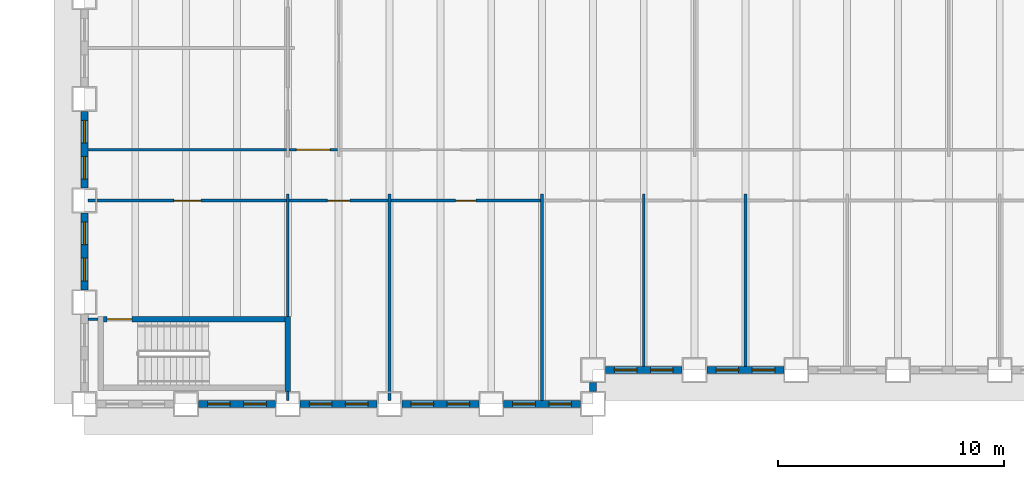
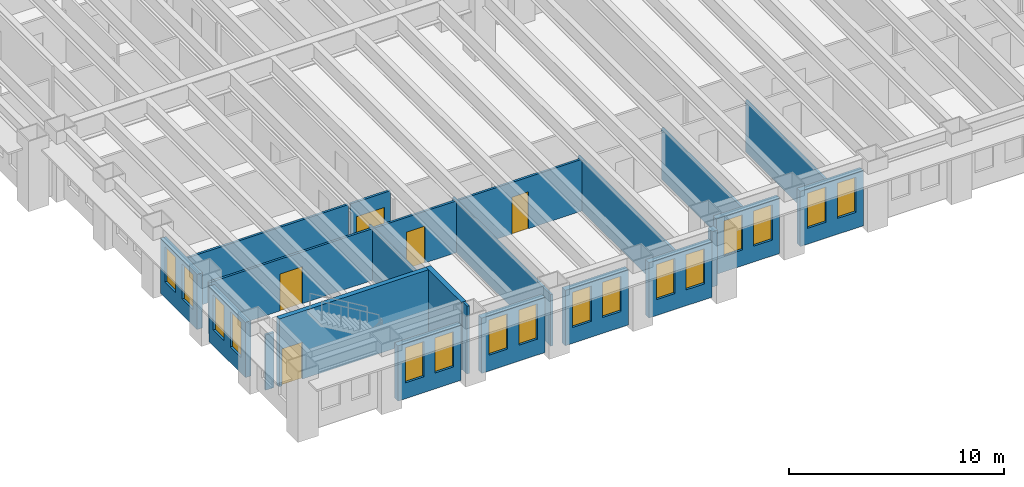
# One storey, part 3 of 15: 23 walls, 16 windows, 5 doors, 21 openings.
"""IFC4 building model written with IfcOpenShell, lengths in metres."""

import ifcopenshell
import ifcopenshell.guid

model = None  # the IFC model being written
_history = None  # IfcOwnerHistory: only IFC2X3 demands one
_inside = {}  # id of a spatial element -> (the spatial element, [elements in it])
_under = {}  # id of a project, library or spatial element -> (it, [spatial elements below it])
_declared = {}  # id of a project -> (the project, [libraries it declares])
_typed = {}  # id of a type object -> (the type object, [elements of that type])
_made_of = {}  # id of a material, layer set ... -> (it, [elements and type objects made of it])


def new_model(schema):
    """Start an empty IFC model of exactly this schema.

    Asked for "IFC4X3", IfcOpenShell would pick the latest addendum, in which some entities
    have other attributes; the version numbers below select the first issue.
    IFC2X3 requires an IfcOwnerHistory on every rooted entity: one is made here for all.
    """
    global model, _history
    if schema == "IFC4X3":
        model = ifcopenshell.file(schema_version=(4, 3, 0, 0))
    else:
        model = ifcopenshell.file(schema=schema)
    _inside.clear()
    _under.clear()
    _declared.clear()
    _typed.clear()
    _made_of.clear()
    _history = None
    if model.schema == "IFC2X3":
        org = make("IfcOrganization", Name="unknown")
        user = make(
            "IfcPersonAndOrganization",
            ThePerson=make("IfcPerson", FamilyName="unknown"),
            TheOrganization=org,
        )
        app = make(
            "IfcApplication",
            ApplicationDeveloper=org,
            Version="unknown",
            ApplicationFullName="unknown",
            ApplicationIdentifier="unknown",
        )
        _history = make(
            "IfcOwnerHistory",
            OwningUser=user,
            OwningApplication=app,
            ChangeAction="ADDED",
            CreationDate=0,
        )
    return model


def make(cls, **values):
    """One entity of the class cls with the attributes given. An attribute that is None is left unset."""
    return model.create_entity(
        cls, **{name: value for name, value in values.items() if value is not None}
    )


def rooted(cls, **values):
    """An entity with a GlobalId (a new one), such as an element, a storey or a relation."""
    return make(cls, GlobalId=ifcopenshell.guid.new(), OwnerHistory=_history, **values)


def si_unit(unit_type, name, prefix=None):
    """IfcSIUnit, for example si_unit("LENGTHUNIT", "METRE", prefix="MILLI")."""
    return make("IfcSIUnit", UnitType=unit_type, Prefix=prefix, Name=name)


def assignment(units):
    """IfcUnitAssignment: the units of a project."""
    return None if units is None else make("IfcUnitAssignment", Units=units)


def point(xyz):
    """IfcCartesianPoint."""
    return None if xyz is None else make("IfcCartesianPoint", Coordinates=xyz)


def direction(xyz):
    """IfcDirection."""
    return None if xyz is None else make("IfcDirection", DirectionRatios=xyz)


def frame(location, z_axis=None, x_axis=None):
    """IfcAxis2Placement3D, a coordinate frame: its origin and axes. An axis left out is left unset."""
    return make(
        "IfcAxis2Placement3D",
        Location=point(location),
        Axis=direction(z_axis),
        RefDirection=direction(x_axis),
    )


def frame_2d(location, x_axis=None):
    """IfcAxis2Placement2D, a coordinate frame in the plane: its origin and x axis."""
    return make(
        "IfcAxis2Placement2D", Location=point(location), RefDirection=direction(x_axis)
    )


def origin():
    """The frame at (0, 0, 0) with its axes left unset."""
    return frame((0.0, 0.0, 0.0))


def place(relative_to, where):
    """IfcLocalPlacement: puts the frame where relative to a parent placement (None: the world)."""
    return make(
        "IfcLocalPlacement", PlacementRelTo=relative_to, RelativePlacement=where
    )


def context(
    kind, dimensions, precision=None, world=None, true_north=None, identifier=None
):
    """IfcGeometricRepresentationContext, for example the 3D "Model" context."""
    return make(
        "IfcGeometricRepresentationContext",
        ContextIdentifier=identifier,
        ContextType=kind,
        CoordinateSpaceDimension=dimensions,
        Precision=precision,
        WorldCoordinateSystem=world,
        TrueNorth=true_north,
    )


def subcontext(parent, identifier, kind, view, scale=None):
    """IfcGeometricRepresentationSubContext, for example "Body" below "Model"."""
    return make(
        "IfcGeometricRepresentationSubContext",
        ContextIdentifier=identifier,
        ContextType=kind,
        ParentContext=parent,
        TargetScale=scale,
        TargetView=view,
    )


def project(units=None, contexts=None):
    """IfcProject with its units and contexts."""
    return rooted(
        "IfcProject",
        Name="project",
        RepresentationContexts=contexts,
        UnitsInContext=assignment(units),
    )


def spatial(cls, under=None, at=None, **own):
    """A site, building, storey or space (cls), placed at a placement, below another one or the project."""
    s = rooted(cls, ObjectPlacement=at, **own)
    if under is not None:
        _under.setdefault(under.id(), (under, []))[1].append(s)
    return s


def profile(cls, at=None, kind="AREA", **sizes):
    """A parametric profile (cls). Its sizes go by their IFC names, for example OverallWidth=200.0."""
    return make(cls, ProfileType=kind, Position=at, **sizes)


def rectangle(**sizes):
    """IfcRectangleProfileDef."""
    return profile("IfcRectangleProfileDef", **sizes)


def extrude(swept, where, along, depth):
    """IfcExtrudedAreaSolid: the profile swept, set in the frame where, extruded along a direction by depth."""
    return make(
        "IfcExtrudedAreaSolid",
        SweptArea=swept,
        Position=where,
        ExtrudedDirection=direction(along),
        Depth=depth,
    )


def shape(context_of_items, identifier, shape_type, items):
    """IfcShapeRepresentation: the items that make up one representation, for example the "Body"."""
    return make(
        "IfcShapeRepresentation",
        ContextOfItems=context_of_items,
        RepresentationIdentifier=identifier,
        RepresentationType=shape_type,
        Items=items,
    )


def material(Name=None, Category=None):
    """IfcMaterial."""
    return make("IfcMaterial", Name=Name, Category=Category)


def layer(
    of_material, thickness, ventilated=None, Name=None, Category=None, Priority=None
):
    """IfcMaterialLayer: one layer of a wall or slab, of a material (None: an air gap)."""
    return make(
        "IfcMaterialLayer",
        Material=of_material,
        LayerThickness=thickness,
        IsVentilated=ventilated,
        Name=Name,
        Category=Category,
        Priority=Priority,
    )


def layer_set(layers, Name=None):
    """IfcMaterialLayerSet."""
    return make("IfcMaterialLayerSet", MaterialLayers=layers, LayerSetName=Name)


def made_of(thing, what):
    """Note that an element or type object is made of a material, layer set ...; save() writes the relation."""
    if what is not None:
        _made_of.setdefault(what.id(), (what, []))[1].append(thing)
    return thing


def type_object(cls, material=None, **own):
    """A type object (cls), such as IfcWallType, which elements share."""
    return made_of(rooted(cls, **own), material)


def element(
    cls,
    number,
    at=None,
    inside=None,
    cuts=None,
    type_object=None,
    material=None,
    context=None,
    identifier="Body",
    shape_type=None,
    held_by="IfcProductDefinitionShape",
    body=None,
    shapes=None,
    **own,
):
    """One element of the class cls, such as IfcWall. Its Tag is "e" and its number.

    at: its placement. inside: the storey or other place that contains it. cuts: it is an
    opening in that element (IfcRelVoidsElement). A single representation is given by context,
    identifier, shape_type and body (its items); several are given by shapes. held_by: the class
    of the entity that holds the representations. save() writes the other relations.
    """
    e = rooted(cls, Tag="e%d" % number, ObjectPlacement=at, **own)
    if body is not None:
        shapes = [shape(context, identifier, shape_type, body)]
    if shapes is not None:
        e.Representation = make(held_by, Representations=shapes)
    if inside is not None:
        _inside.setdefault(inside.id(), (inside, []))[1].append(e)
    if cuts is not None:
        rooted(
            "IfcRelVoidsElement", RelatingBuildingElement=cuts, RelatedOpeningElement=e
        )
    if type_object is not None:
        _typed.setdefault(type_object.id(), (type_object, []))[1].append(e)
    return made_of(e, material)


def fill(opening, filler):
    """IfcRelFillsElement: the door or window that sits in an opening."""
    return rooted(
        "IfcRelFillsElement",
        RelatingOpeningElement=opening,
        RelatedBuildingElement=filler,
    )


def aggregate(whole, parts):
    """IfcRelAggregates: a whole, such as a stair, and the parts it consists of."""
    return rooted("IfcRelAggregates", RelatingObject=whole, RelatedObjects=parts)


def save(model, path):
    """Write the relations noted so far, then the file.

    IfcRelAggregates (storeys below a building ...), IfcRelContainedInSpatialStructure (elements
    in a storey), IfcRelDefinesByType, IfcRelAssociatesMaterial and IfcRelDeclares: one each for
    every whole, place, type object, material and project.
    """
    for whole, parts in _under.values():
        aggregate(whole, parts)
    for where, things in _inside.values():
        rooted(
            "IfcRelContainedInSpatialStructure",
            RelatedElements=things,
            RelatingStructure=where,
        )
    for kind, things in _typed.values():
        rooted("IfcRelDefinesByType", RelatedObjects=things, RelatingType=kind)
    for what, things in _made_of.values():
        rooted("IfcRelAssociatesMaterial", RelatedObjects=things, RelatingMaterial=what)
    for by, libraries in _declared.values():
        rooted("IfcRelDeclares", RelatingContext=by, RelatedDefinitions=libraries)
    model.write(path)


model = new_model("IFC4")

# Units and contexts
model_context = context("Model", 3, precision=1e-05, world=origin(), true_north=direction((0.0, 1.0)))
body_context = subcontext(model_context, "Body", "Model", "MODEL_VIEW")
ifc_project = project(units=[si_unit("LENGTHUNIT", "METRE"), si_unit("AREAUNIT", "SQUARE_METRE"), si_unit("VOLUMEUNIT", "CUBIC_METRE"), si_unit("PLANEANGLEUNIT", "RADIAN"), si_unit("MASSUNIT", "GRAM", prefix="KILO")], contexts=[model_context])

# Site, building, storey
site_placement = place(None, origin())
site = spatial("IfcSite", under=ifc_project, at=site_placement, CompositionType="ELEMENT")
building_placement = place(site_placement, origin())
building = spatial("IfcBuilding", under=site, at=building_placement, Name="Sennacour Bend Tower", CompositionType="ELEMENT")
storey_placement = place(building_placement, frame((0.0, 0.0, 33.0)))
storey = spatial("IfcBuildingStorey", under=building, at=storey_placement, Name="L06", CompositionType="ELEMENT", Elevation=33.0)

# Walls
ifc_material_1 = material(Name="Plasterboard partition on steel studs", Category="steel")
ifc_layer_1 = layer(ifc_material_1, 0.1201171875, Name="Plasterboard partition on steel studs", Category="steel")
ifc_layer_set_1 = layer_set([ifc_layer_1], Name="Plasterboard partition on steel studs")
wall_type_1 = type_object("IfcWallType", Name="Partition 120", PredefinedType="PARTITIONING", material=ifc_layer_set_1)
wall_1_placement = place(storey_placement, frame((9.0, 0.14990234375, 0.0), z_axis=(0.0, 0.0, 1.0), x_axis=(0.0, 1.0, 0.0)))
element("IfcWall", 1, at=wall_1_placement, inside=storey, type_object=wall_type_1, Name="P-L06-W010a", PredefinedType="PARTITIONING", context=body_context, shape_type="SweptSolid", body=[
    extrude(rectangle(XDim=0.400146484375, YDim=0.1201171875, at=frame_2d((0.2001953125, 0.0))), origin(), (0.0, 0.0, 1.0), 3.85009765625),
])
wall_2_placement = place(storey_placement, frame((9.0, 3.875, 0.0), z_axis=(0.0, 0.0, 1.0), x_axis=(0.0, 1.0, 0.0)))
element("IfcWall", 2, at=wall_2_placement, inside=storey, type_object=wall_type_1, Name="P-L06-W012a", PredefinedType="PARTITIONING", context=body_context, shape_type="SweptSolid", body=[
    extrude(rectangle(XDim=5.425048828125, YDim=0.1201171875, at=frame_2d((2.71240234375, 0.0))), origin(), (0.0, 0.0, 1.0), 2.93798828125),
])
for number, where, z_axis, x_axis, name in (
    (3, (13.5, 0.14990234375, 0.0), (0.0, 0.0, 1.0), (0.0, 1.0, 0.0), "P-L06-W017a"),
    (4, (20.25, 0.14990234375, 0.0), (0.0, 0.0, 1.0), (0.0, 1.0, 0.0), "P-L06-W024a"),
):
    element("IfcWall", number, at=place(storey_placement, frame(where, z_axis=z_axis, x_axis=x_axis)), inside=storey, type_object=wall_type_1, Name=name, PredefinedType="PARTITIONING", context=body_context, shape_type="SweptSolid", body=[
        extrude(rectangle(XDim=9.150146484375, YDim=0.1201171875, at=frame_2d((4.5751953125, 0.0))), origin(), (0.0, 0.0, 1.0), 2.93798828125),
    ])
for number, where, z_axis, x_axis, name in (
    (5, (24.75, 1.64990234375, 0.0), (0.0, 0.0, 1.0), (0.0, 1.0, 0.0), "P-L06-W026a"),
    (6, (29.25, 1.64990234375, 0.0), (0.0, 0.0, 1.0), (0.0, 1.0, 0.0), "P-L06-W028a"),
):
    element("IfcWall", number, at=place(storey_placement, frame(where, z_axis=z_axis, x_axis=x_axis)), inside=storey, type_object=wall_type_1, Name=name, PredefinedType="PARTITIONING", context=body_context, shape_type="SweptSolid", body=[
        extrude(rectangle(XDim=7.650146484375, YDim=0.1201171875, at=frame_2d((3.8251953125, 0.0))), origin(), (0.0, 0.0, 1.0), 2.93798828125),
    ])
wall_3_placement = place(storey_placement, frame((0.14990234375, 3.75, 0.0), z_axis=(0.0, 0.0, 1.0), x_axis=(1.0, 0.0, 0.0)))
element("IfcWall", 7, at=wall_3_placement, inside=storey, type_object=wall_type_1, Name="P-L06-W050a", PredefinedType="PARTITIONING", context=body_context, shape_type="SweptSolid", body=[
    extrude(rectangle(XDim=0.4501953125, YDim=0.1201171875, at=frame_2d((0.22509765625, 0.0))), origin(), (0.0, 0.0, 1.0), 3.14404296875),
])

# Wall, opening, door
wall_4_placement = place(storey_placement, frame((9.06005859375, 9.0, 0.0), z_axis=(0.0, 0.0, 1.0), x_axis=(1.0, 0.0, 0.0)))
wall_4 = element("IfcWall", 8, at=wall_4_placement, inside=storey, type_object=wall_type_1, Name="P-L06-W058ab", PredefinedType="PARTITIONING", context=body_context, shape_type="SweptSolid", body=[
    extrude(rectangle(XDim=4.3798828125, YDim=0.1201171875, at=frame_2d((2.18994140625, 0.0))), origin(), (0.0, 0.0, 1.0), 2.93798828125),
])
opening_1_placement = place(wall_4_placement, frame((1.68994140625, 0.0, 0.0)))
opening_1 = element("IfcOpeningElement", 9, at=opening_1_placement, cuts=wall_4, Name="Opening OD2", PredefinedType="OPENING", context=body_context, shape_type="SweptSolid", body=[
    extrude(rectangle(XDim=1.0, YDim=2.10009765625, at=frame_2d((0.5, 1.050048828125))), frame((0.0, 0.070068359375, 0.0), z_axis=(0.0, -1.0, 0.0), x_axis=(1.0, 0.0, 0.0)), (0.0, 0.0, 1.0), 0.14013671875),
])
ifc_material_2 = material(Name="Timber", Category="wood")
door_type_1 = type_object("IfcDoorType", Name="DR-OFFICE-1000", OperationType="NOTDEFINED", PredefinedType="DOOR", material=ifc_material_2)
door_1_placement = place(opening_1_placement, origin())
door_1 = element("IfcDoor", 10, at=door_1_placement, inside=storey, type_object=door_type_1, Name="Door", OperationType="SINGLE_SWING_LEFT", OverallHeight=2.10009765625, OverallWidth=1.0, PredefinedType="DOOR", context=body_context, shape_type="SweptSolid", body=[
    extrude(rectangle(XDim=1.0, YDim=2.10009765625, at=frame_2d((0.5, 1.050048828125))), frame((0.0, 0.02490234375, 0.0), z_axis=(0.0, -1.0, 0.0), x_axis=(1.0, 0.0, 0.0)), (0.0, 0.0, 1.0), 0.050048828125),
])
fill(opening_1, door_1)

# Wall
wall_5_placement = place(storey_placement, frame((0.14990234375, 11.25, 0.0), z_axis=(0.0, 0.0, 1.0), x_axis=(1.0, 0.0, 0.0)))
element("IfcWall", 11, at=wall_5_placement, inside=storey, type_object=wall_type_1, Name="P-L06-W060aa", PredefinedType="PARTITIONING", context=body_context, shape_type="SweptSolid", body=[
    extrude(rectangle(XDim=8.7900390625, YDim=0.1201171875, at=frame_2d((4.39501953125, 0.0))), origin(), (0.0, 0.0, 1.0), 2.93798828125),
])

# Wall, opening, door
ifc_layer_2 = layer(ifc_material_1, 0.1201171875, Name="Plasterboard partition on steel studs", Category="steel")
ifc_layer_set_2 = layer_set([ifc_layer_2], Name="Plasterboard partition on steel studs")
wall_type_2 = type_object("IfcWallType", Name="Partition 120 EI 30", PredefinedType="PARTITIONING", material=ifc_layer_set_2)
wall_6_placement = place(storey_placement, frame((0.14990234375, 9.0, 0.0), z_axis=(0.0, 0.0, 1.0), x_axis=(1.0, 0.0, 0.0)))
wall_6 = element("IfcWall", 12, at=wall_6_placement, inside=storey, type_object=wall_type_2, Name="P-L06-W058aa", PredefinedType="PARTITIONING", context=body_context, shape_type="SweptSolid", body=[
    extrude(rectangle(XDim=8.7900390625, YDim=0.1201171875, at=frame_2d((4.39501953125, 0.0))), origin(), (0.0, 0.0, 1.0), 2.93798828125),
])
opening_2_placement = place(wall_6_placement, frame((3.80517578125, 0.0, 0.0)))
opening_2 = element("IfcOpeningElement", 13, at=opening_2_placement, cuts=wall_6, Name="Opening KD2", PredefinedType="OPENING", context=body_context, shape_type="SweptSolid", body=[
    extrude(rectangle(XDim=1.199951171875, YDim=2.10009765625, at=frame_2d((0.60009765625, 1.050048828125))), frame((0.0, 0.070068359375, 0.0), z_axis=(0.0, -1.0, 0.0), x_axis=(1.0, 0.0, 0.0)), (0.0, 0.0, 1.0), 0.14013671875),
])
ifc_material_3 = material(Name="Painted steel", Category="steel")
door_type_2 = type_object("IfcDoorType", Name="DR-CORRIDOR-1200", OperationType="NOTDEFINED", PredefinedType="DOOR", material=ifc_material_3)
door_2_placement = place(opening_2_placement, origin())
door_2 = element("IfcDoor", 14, at=door_2_placement, inside=storey, type_object=door_type_2, Name="Door", OperationType="SINGLE_SWING_LEFT", OverallHeight=2.10009765625, OverallWidth=1.199951171875, PredefinedType="DOOR", context=body_context, shape_type="SweptSolid", body=[
    extrude(rectangle(XDim=1.199951171875, YDim=2.10009765625, at=frame_2d((0.60009765625, 1.050048828125))), frame((0.0, 0.02490234375, 0.0), z_axis=(0.0, -1.0, 0.0), x_axis=(1.0, 0.0, 0.0)), (0.0, 0.0, 1.0), 0.050048828125),
])
fill(opening_2, door_2)

wall_7_placement = place(storey_placement, frame((9.06005859375, 11.25, 0.0), z_axis=(0.0, 0.0, 1.0), x_axis=(1.0, 0.0, 0.0)))
wall_7 = element("IfcWall", 15, at=wall_7_placement, inside=storey, type_object=wall_type_2, Name="P-L06-W060ab", PredefinedType="PARTITIONING", context=body_context, shape_type="SweptSolid", body=[
    extrude(rectangle(XDim=2.1298828125, YDim=0.1201171875, at=frame_2d((1.06494140625, 0.0))), origin(), (0.0, 0.0, 1.0), 2.93798828125),
])
opening_3_placement = place(wall_7_placement, frame((0.31494140625, 0.0, 0.0)))
opening_3 = element("IfcOpeningElement", 16, at=opening_3_placement, cuts=wall_7, Name="Opening KD", PredefinedType="OPENING", context=body_context, shape_type="SweptSolid", body=[
    extrude(rectangle(XDim=1.5, YDim=2.10009765625, at=frame_2d((0.75, 1.050048828125))), frame((0.0, 0.070068359375, 0.0), z_axis=(0.0, -1.0, 0.0), x_axis=(1.0, 0.0, 0.0)), (0.0, 0.0, 1.0), 0.14013671875),
])
door_type_3 = type_object("IfcDoorType", Name="DR-CORRIDOR-1500", OperationType="NOTDEFINED", PredefinedType="DOOR", material=ifc_material_3)
door_3_placement = place(opening_3_placement, origin())
door_3 = element("IfcDoor", 17, at=door_3_placement, inside=storey, type_object=door_type_3, Name="Door", OperationType="SINGLE_SWING_LEFT", OverallHeight=2.10009765625, OverallWidth=1.5, PredefinedType="DOOR", context=body_context, shape_type="SweptSolid", body=[
    extrude(rectangle(XDim=1.5, YDim=2.10009765625, at=frame_2d((0.75, 1.050048828125))), frame((0.0, 0.02490234375, 0.0), z_axis=(0.0, -1.0, 0.0), x_axis=(1.0, 0.0, 0.0)), (0.0, 0.0, 1.0), 0.050048828125),
])
fill(opening_3, door_3)

ifc_layer_3 = layer(ifc_material_1, 0.1201171875, Name="Plasterboard partition on steel studs", Category="steel")
ifc_layer_set_3 = layer_set([ifc_layer_3], Name="Plasterboard partition on steel studs")
wall_type_3 = type_object("IfcWallType", Name="Partition 120 EI 60", PredefinedType="PARTITIONING", material=ifc_layer_set_3)
wall_8_placement = place(storey_placement, frame((13.56005859375, 9.0, 0.0), z_axis=(0.0, 0.0, 1.0), x_axis=(1.0, 0.0, 0.0)))
wall_8 = element("IfcWall", 18, at=wall_8_placement, inside=storey, type_object=wall_type_3, Name="P-L06-W058ac", PredefinedType="PARTITIONING", context=body_context, shape_type="SweptSolid", body=[
    extrude(rectangle(XDim=6.6298828125, YDim=0.1201171875, at=frame_2d((3.31494140625, 0.0))), origin(), (0.0, 0.0, 1.0), 2.93798828125),
])
opening_4_placement = place(wall_8_placement, frame((2.864990234375, 0.0, 0.0)))
opening_4 = element("IfcOpeningElement", 19, at=opening_4_placement, cuts=wall_8, Name="Opening SV", PredefinedType="OPENING", context=body_context, shape_type="SweptSolid", body=[
    extrude(rectangle(XDim=0.89990234375, YDim=2.10009765625, at=frame_2d((0.449951171875, 1.050048828125))), frame((0.0, 0.070068359375, 0.0), z_axis=(0.0, -1.0, 0.0), x_axis=(1.0, 0.0, 0.0)), (0.0, 0.0, 1.0), 0.14013671875),
])
door_type_4 = type_object("IfcDoorType", Name="DR-SERVICE-900", OperationType="NOTDEFINED", PredefinedType="DOOR", material=ifc_material_3)
door_4_placement = place(opening_4_placement, origin())
door_4 = element("IfcDoor", 20, at=door_4_placement, inside=storey, type_object=door_type_4, Name="Door", OperationType="SINGLE_SWING_LEFT", OverallHeight=2.10009765625, OverallWidth=0.89990234375, PredefinedType="DOOR", context=body_context, shape_type="SweptSolid", body=[
    extrude(rectangle(XDim=0.89990234375, YDim=2.10009765625, at=frame_2d((0.449951171875, 1.050048828125))), frame((0.0, 0.02490234375, 0.0), z_axis=(0.0, -1.0, 0.0), x_axis=(1.0, 0.0, 0.0)), (0.0, 0.0, 1.0), 0.050048828125),
])
fill(opening_4, door_4)

# Wall, openings, windows
ifc_material_4 = material(Name="Warm limestone cladding", Category="masonry")
ifc_layer_4 = layer(ifc_material_4, 0.050048828125, Name="Warm limestone cladding", Category="masonry")
ifc_material_5 = material(Name="Precast concrete C40/50", Category="concrete")
ifc_layer_5 = layer(ifc_material_5, 0.25, Name="Precast concrete C40/50", Category="concrete")
ifc_layer_set_4 = layer_set([ifc_layer_4, ifc_layer_5], Name="Precast concrete C40/50 with limestone cladding")
wall_type_4 = type_object("IfcWallType", Name="STONE-CLAD PRECAST SPANDREL 300", PredefinedType="STANDARD", material=ifc_layer_set_4)
wall_9_placement = place(storey_placement, frame((5.050048828125, 0.0, 0.0), z_axis=(0.0, 0.0, 1.0), x_axis=(1.0, 0.0, 0.0)))
wall_9 = element("IfcWall", 21, at=wall_9_placement, inside=storey, type_object=wall_type_4, Name="Stone spandrel and pier wall L06 00.01", PredefinedType="STANDARD", context=body_context, shape_type="SweptSolid", body=[
    extrude(rectangle(XDim=3.39990234375, YDim=0.300048828125, at=frame_2d((1.699951171875, 0.0))), origin(), (0.0, 0.0, 1.0), 3.14404296875),
])
opening_5_placement = place(wall_9_placement, frame((0.39990234375, 0.0, 0.89990234375)))
opening_5 = element("IfcOpeningElement", 22, at=opening_5_placement, cuts=wall_9, Name="Opening W8", PredefinedType="OPENING", context=body_context, shape_type="SweptSolid", body=[
    extrude(rectangle(XDim=1.0, YDim=2.0, at=frame_2d((0.5, 1.0))), frame((0.0, 0.16015625, 0.0), z_axis=(0.0, -1.0, 0.0), x_axis=(1.0, 0.0, 0.0)), (0.0, 0.0, 1.0), 0.320068359375),
])
opening_6_placement = place(wall_9_placement, frame((2.0, 0.0, 0.89990234375)))
opening_6 = element("IfcOpeningElement", 23, at=opening_6_placement, cuts=wall_9, Name="Opening W8", PredefinedType="OPENING", context=body_context, shape_type="SweptSolid", body=[
    extrude(rectangle(XDim=1.0, YDim=2.0, at=frame_2d((0.5, 1.0))), frame((0.0, 0.16015625, 0.0), z_axis=(0.0, -1.0, 0.0), x_axis=(1.0, 0.0, 0.0)), (0.0, 0.0, 1.0), 0.320068359375),
])
ifc_material_6 = material(Name="Clear low-emissivity glass", Category="glass")
window_type = type_object("IfcWindowType", Name="WIN-RIBBON-1000x2000", PartitioningType="SINGLE_PANEL", PredefinedType="WINDOW", material=ifc_material_6)
window_1_placement = place(opening_5_placement, origin())
window_1 = element("IfcWindow", 24, at=window_1_placement, inside=storey, type_object=window_type, Name="Ribbon window L06 00.01.0", OverallHeight=2.0, OverallWidth=1.0, PartitioningType="SINGLE_PANEL", PredefinedType="WINDOW", context=body_context, shape_type="SweptSolid", body=[
    extrude(rectangle(XDim=1.0, YDim=2.0, at=frame_2d((0.5, 1.0))), frame((0.0, 0.030029296875, 0.0), z_axis=(0.0, -1.0, 0.0), x_axis=(1.0, 0.0, 0.0)), (0.0, 0.0, 1.0), 0.06005859375),
])
fill(opening_5, window_1)
window_2_placement = place(opening_6_placement, origin())
window_2 = element("IfcWindow", 25, at=window_2_placement, inside=storey, type_object=window_type, Name="Ribbon window L06 00.01.1", OverallHeight=2.0, OverallWidth=1.0, PartitioningType="SINGLE_PANEL", PredefinedType="WINDOW", context=body_context, shape_type="SweptSolid", body=[
    extrude(rectangle(XDim=1.0, YDim=2.0, at=frame_2d((0.5, 1.0))), frame((0.0, 0.030029296875, 0.0), z_axis=(0.0, -1.0, 0.0), x_axis=(1.0, 0.0, 0.0)), (0.0, 0.0, 1.0), 0.06005859375),
])
fill(opening_6, window_2)

wall_10_placement = place(storey_placement, frame((9.550048828125, 0.0, 0.0), z_axis=(0.0, 0.0, 1.0), x_axis=(1.0, 0.0, 0.0)))
wall_10 = element("IfcWall", 26, at=wall_10_placement, inside=storey, type_object=wall_type_4, Name="Stone spandrel and pier wall L06 00.02", PredefinedType="STANDARD", context=body_context, shape_type="SweptSolid", body=[
    extrude(rectangle(XDim=3.39990234375, YDim=0.300048828125, at=frame_2d((1.699951171875, 0.0))), origin(), (0.0, 0.0, 1.0), 3.14404296875),
])
opening_7_placement = place(wall_10_placement, frame((0.39990234375, 0.0, 0.89990234375)))
opening_7 = element("IfcOpeningElement", 27, at=opening_7_placement, cuts=wall_10, Name="Opening W8", PredefinedType="OPENING", context=body_context, shape_type="SweptSolid", body=[
    extrude(rectangle(XDim=1.0, YDim=2.0, at=frame_2d((0.5, 1.0))), frame((0.0, 0.16015625, 0.0), z_axis=(0.0, -1.0, 0.0), x_axis=(1.0, 0.0, 0.0)), (0.0, 0.0, 1.0), 0.320068359375),
])
opening_8_placement = place(wall_10_placement, frame((2.0, 0.0, 0.89990234375)))
opening_8 = element("IfcOpeningElement", 28, at=opening_8_placement, cuts=wall_10, Name="Opening W8", PredefinedType="OPENING", context=body_context, shape_type="SweptSolid", body=[
    extrude(rectangle(XDim=1.0, YDim=2.0, at=frame_2d((0.5, 1.0))), frame((0.0, 0.16015625, 0.0), z_axis=(0.0, -1.0, 0.0), x_axis=(1.0, 0.0, 0.0)), (0.0, 0.0, 1.0), 0.320068359375),
])
window_3_placement = place(opening_7_placement, origin())
window_3 = element("IfcWindow", 29, at=window_3_placement, inside=storey, type_object=window_type, Name="Ribbon window L06 00.02.0", OverallHeight=2.0, OverallWidth=1.0, PartitioningType="SINGLE_PANEL", PredefinedType="WINDOW", context=body_context, shape_type="SweptSolid", body=[
    extrude(rectangle(XDim=1.0, YDim=2.0, at=frame_2d((0.5, 1.0))), frame((0.0, 0.030029296875, 0.0), z_axis=(0.0, -1.0, 0.0), x_axis=(1.0, 0.0, 0.0)), (0.0, 0.0, 1.0), 0.06005859375),
])
fill(opening_7, window_3)
window_4_placement = place(opening_8_placement, origin())
window_4 = element("IfcWindow", 30, at=window_4_placement, inside=storey, type_object=window_type, Name="Ribbon window L06 00.02.1", OverallHeight=2.0, OverallWidth=1.0, PartitioningType="SINGLE_PANEL", PredefinedType="WINDOW", context=body_context, shape_type="SweptSolid", body=[
    extrude(rectangle(XDim=1.0, YDim=2.0, at=frame_2d((0.5, 1.0))), frame((0.0, 0.030029296875, 0.0), z_axis=(0.0, -1.0, 0.0), x_axis=(1.0, 0.0, 0.0)), (0.0, 0.0, 1.0), 0.06005859375),
])
fill(opening_8, window_4)

wall_11_placement = place(storey_placement, frame((14.050048828125, 0.0, 0.0), z_axis=(0.0, 0.0, 1.0), x_axis=(1.0, 0.0, 0.0)))
wall_11 = element("IfcWall", 31, at=wall_11_placement, inside=storey, type_object=wall_type_4, Name="Stone spandrel and pier wall L06 00.03", PredefinedType="STANDARD", context=body_context, shape_type="SweptSolid", body=[
    extrude(rectangle(XDim=3.39990234375, YDim=0.300048828125, at=frame_2d((1.699951171875, 0.0))), origin(), (0.0, 0.0, 1.0), 3.14404296875),
])
opening_9_placement = place(wall_11_placement, frame((0.39990234375, 0.0, 0.89990234375)))
opening_9 = element("IfcOpeningElement", 32, at=opening_9_placement, cuts=wall_11, Name="Opening W8", PredefinedType="OPENING", context=body_context, shape_type="SweptSolid", body=[
    extrude(rectangle(XDim=1.0, YDim=2.0, at=frame_2d((0.5, 1.0))), frame((0.0, 0.16015625, 0.0), z_axis=(0.0, -1.0, 0.0), x_axis=(1.0, 0.0, 0.0)), (0.0, 0.0, 1.0), 0.320068359375),
])
opening_10_placement = place(wall_11_placement, frame((2.0, 0.0, 0.89990234375)))
opening_10 = element("IfcOpeningElement", 33, at=opening_10_placement, cuts=wall_11, Name="Opening W8", PredefinedType="OPENING", context=body_context, shape_type="SweptSolid", body=[
    extrude(rectangle(XDim=1.0, YDim=2.0, at=frame_2d((0.5, 1.0))), frame((0.0, 0.16015625, 0.0), z_axis=(0.0, -1.0, 0.0), x_axis=(1.0, 0.0, 0.0)), (0.0, 0.0, 1.0), 0.320068359375),
])
window_5_placement = place(opening_9_placement, origin())
window_5 = element("IfcWindow", 34, at=window_5_placement, inside=storey, type_object=window_type, Name="Ribbon window L06 00.03.0", OverallHeight=2.0, OverallWidth=1.0, PartitioningType="SINGLE_PANEL", PredefinedType="WINDOW", context=body_context, shape_type="SweptSolid", body=[
    extrude(rectangle(XDim=1.0, YDim=2.0, at=frame_2d((0.5, 1.0))), frame((0.0, 0.030029296875, 0.0), z_axis=(0.0, -1.0, 0.0), x_axis=(1.0, 0.0, 0.0)), (0.0, 0.0, 1.0), 0.06005859375),
])
fill(opening_9, window_5)
window_6_placement = place(opening_10_placement, origin())
window_6 = element("IfcWindow", 35, at=window_6_placement, inside=storey, type_object=window_type, Name="Ribbon window L06 00.03.1", OverallHeight=2.0, OverallWidth=1.0, PartitioningType="SINGLE_PANEL", PredefinedType="WINDOW", context=body_context, shape_type="SweptSolid", body=[
    extrude(rectangle(XDim=1.0, YDim=2.0, at=frame_2d((0.5, 1.0))), frame((0.0, 0.030029296875, 0.0), z_axis=(0.0, -1.0, 0.0), x_axis=(1.0, 0.0, 0.0)), (0.0, 0.0, 1.0), 0.06005859375),
])
fill(opening_10, window_6)

wall_12_placement = place(storey_placement, frame((18.550048828125, 0.0, 0.0), z_axis=(0.0, 0.0, 1.0), x_axis=(1.0, 0.0, 0.0)))
wall_12 = element("IfcWall", 36, at=wall_12_placement, inside=storey, type_object=wall_type_4, Name="Stone spandrel and pier wall L06 00.04", PredefinedType="STANDARD", context=body_context, shape_type="SweptSolid", body=[
    extrude(rectangle(XDim=3.39990234375, YDim=0.300048828125, at=frame_2d((1.699951171875, 0.0))), origin(), (0.0, 0.0, 1.0), 3.14404296875),
])
opening_11_placement = place(wall_12_placement, frame((0.39990234375, 0.0, 0.89990234375)))
opening_11 = element("IfcOpeningElement", 37, at=opening_11_placement, cuts=wall_12, Name="Opening W8", PredefinedType="OPENING", context=body_context, shape_type="SweptSolid", body=[
    extrude(rectangle(XDim=1.0, YDim=2.0, at=frame_2d((0.5, 1.0))), frame((0.0, 0.16015625, 0.0), z_axis=(0.0, -1.0, 0.0), x_axis=(1.0, 0.0, 0.0)), (0.0, 0.0, 1.0), 0.320068359375),
])
opening_12_placement = place(wall_12_placement, frame((2.0, 0.0, 0.89990234375)))
opening_12 = element("IfcOpeningElement", 38, at=opening_12_placement, cuts=wall_12, Name="Opening W8", PredefinedType="OPENING", context=body_context, shape_type="SweptSolid", body=[
    extrude(rectangle(XDim=1.0, YDim=2.0, at=frame_2d((0.5, 1.0))), frame((0.0, 0.16015625, 0.0), z_axis=(0.0, -1.0, 0.0), x_axis=(1.0, 0.0, 0.0)), (0.0, 0.0, 1.0), 0.320068359375),
])
window_7_placement = place(opening_11_placement, origin())
window_7 = element("IfcWindow", 39, at=window_7_placement, inside=storey, type_object=window_type, Name="Ribbon window L06 00.04.0", OverallHeight=2.0, OverallWidth=1.0, PartitioningType="SINGLE_PANEL", PredefinedType="WINDOW", context=body_context, shape_type="SweptSolid", body=[
    extrude(rectangle(XDim=1.0, YDim=2.0, at=frame_2d((0.5, 1.0))), frame((0.0, 0.030029296875, 0.0), z_axis=(0.0, -1.0, 0.0), x_axis=(1.0, 0.0, 0.0)), (0.0, 0.0, 1.0), 0.06005859375),
])
fill(opening_11, window_7)
window_8_placement = place(opening_12_placement, origin())
window_8 = element("IfcWindow", 40, at=window_8_placement, inside=storey, type_object=window_type, Name="Ribbon window L06 00.04.1", OverallHeight=2.0, OverallWidth=1.0, PartitioningType="SINGLE_PANEL", PredefinedType="WINDOW", context=body_context, shape_type="SweptSolid", body=[
    extrude(rectangle(XDim=1.0, YDim=2.0, at=frame_2d((0.5, 1.0))), frame((0.0, 0.030029296875, 0.0), z_axis=(0.0, -1.0, 0.0), x_axis=(1.0, 0.0, 0.0)), (0.0, 0.0, 1.0), 0.06005859375),
])
fill(opening_12, window_8)

# Wall
wall_13_placement = place(storey_placement, frame((22.5, 0.550048828125, 0.0), z_axis=(0.0, 0.0, 1.0), x_axis=(0.0, 1.0, 0.0)))
element("IfcWall", 41, at=wall_13_placement, inside=storey, type_object=wall_type_4, Name="Stone spandrel and pier wall L06 01.00", PredefinedType="STANDARD", context=body_context, shape_type="SweptSolid", body=[
    extrude(rectangle(XDim=0.39990234375, YDim=0.300048828125, at=frame_2d((0.199951171875, 0.0))), origin(), (0.0, 0.0, 1.0), 3.14404296875),
])

# Wall, openings, windows
wall_14_placement = place(storey_placement, frame((23.050048828125, 1.5, 0.0), z_axis=(0.0, 0.0, 1.0), x_axis=(1.0, 0.0, 0.0)))
wall_14 = element("IfcWall", 42, at=wall_14_placement, inside=storey, type_object=wall_type_4, Name="Stone spandrel and pier wall L06 02.00", PredefinedType="STANDARD", context=body_context, shape_type="SweptSolid", body=[
    extrude(rectangle(XDim=3.39990234375, YDim=0.300048828125, at=frame_2d((1.699951171875, 0.0))), origin(), (0.0, 0.0, 1.0), 3.14404296875),
])
opening_13_placement = place(wall_14_placement, frame((0.39990234375, 0.0, 0.89990234375)))
opening_13 = element("IfcOpeningElement", 43, at=opening_13_placement, cuts=wall_14, Name="Opening W8", PredefinedType="OPENING", context=body_context, shape_type="SweptSolid", body=[
    extrude(rectangle(XDim=1.0, YDim=2.0, at=frame_2d((0.5, 1.0))), frame((0.0, 0.16015625, 0.0), z_axis=(0.0, -1.0, 0.0), x_axis=(1.0, 0.0, 0.0)), (0.0, 0.0, 1.0), 0.320068359375),
])
opening_14_placement = place(wall_14_placement, frame((2.0, 0.0, 0.89990234375)))
opening_14 = element("IfcOpeningElement", 44, at=opening_14_placement, cuts=wall_14, Name="Opening W8", PredefinedType="OPENING", context=body_context, shape_type="SweptSolid", body=[
    extrude(rectangle(XDim=1.0, YDim=2.0, at=frame_2d((0.5, 1.0))), frame((0.0, 0.16015625, 0.0), z_axis=(0.0, -1.0, 0.0), x_axis=(1.0, 0.0, 0.0)), (0.0, 0.0, 1.0), 0.320068359375),
])
window_9_placement = place(opening_13_placement, origin())
window_9 = element("IfcWindow", 45, at=window_9_placement, inside=storey, type_object=window_type, Name="Ribbon window L06 02.00.0", OverallHeight=2.0, OverallWidth=1.0, PartitioningType="SINGLE_PANEL", PredefinedType="WINDOW", context=body_context, shape_type="SweptSolid", body=[
    extrude(rectangle(XDim=1.0, YDim=2.0, at=frame_2d((0.5, 1.0))), frame((0.0, 0.030029296875, 0.0), z_axis=(0.0, -1.0, 0.0), x_axis=(1.0, 0.0, 0.0)), (0.0, 0.0, 1.0), 0.06005859375),
])
fill(opening_13, window_9)
window_10_placement = place(opening_14_placement, origin())
window_10 = element("IfcWindow", 46, at=window_10_placement, inside=storey, type_object=window_type, Name="Ribbon window L06 02.00.1", OverallHeight=2.0, OverallWidth=1.0, PartitioningType="SINGLE_PANEL", PredefinedType="WINDOW", context=body_context, shape_type="SweptSolid", body=[
    extrude(rectangle(XDim=1.0, YDim=2.0, at=frame_2d((0.5, 1.0))), frame((0.0, 0.030029296875, 0.0), z_axis=(0.0, -1.0, 0.0), x_axis=(1.0, 0.0, 0.0)), (0.0, 0.0, 1.0), 0.06005859375),
])
fill(opening_14, window_10)

wall_15_placement = place(storey_placement, frame((27.550048828125, 1.5, 0.0), z_axis=(0.0, 0.0, 1.0), x_axis=(1.0, 0.0, 0.0)))
wall_15 = element("IfcWall", 47, at=wall_15_placement, inside=storey, type_object=wall_type_4, Name="Stone spandrel and pier wall L06 02.01", PredefinedType="STANDARD", context=body_context, shape_type="SweptSolid", body=[
    extrude(rectangle(XDim=3.39990234375, YDim=0.300048828125, at=frame_2d((1.699951171875, 0.0))), origin(), (0.0, 0.0, 1.0), 3.14404296875),
])
opening_15_placement = place(wall_15_placement, frame((0.39990234375, 0.0, 0.89990234375)))
opening_15 = element("IfcOpeningElement", 48, at=opening_15_placement, cuts=wall_15, Name="Opening W8", PredefinedType="OPENING", context=body_context, shape_type="SweptSolid", body=[
    extrude(rectangle(XDim=1.0, YDim=2.0, at=frame_2d((0.5, 1.0))), frame((0.0, 0.16015625, 0.0), z_axis=(0.0, -1.0, 0.0), x_axis=(1.0, 0.0, 0.0)), (0.0, 0.0, 1.0), 0.320068359375),
])
opening_16_placement = place(wall_15_placement, frame((2.0, 0.0, 0.89990234375)))
opening_16 = element("IfcOpeningElement", 49, at=opening_16_placement, cuts=wall_15, Name="Opening W8", PredefinedType="OPENING", context=body_context, shape_type="SweptSolid", body=[
    extrude(rectangle(XDim=1.0, YDim=2.0, at=frame_2d((0.5, 1.0))), frame((0.0, 0.16015625, 0.0), z_axis=(0.0, -1.0, 0.0), x_axis=(1.0, 0.0, 0.0)), (0.0, 0.0, 1.0), 0.320068359375),
])
window_11_placement = place(opening_15_placement, origin())
window_11 = element("IfcWindow", 50, at=window_11_placement, inside=storey, type_object=window_type, Name="Ribbon window L06 02.01.0", OverallHeight=2.0, OverallWidth=1.0, PartitioningType="SINGLE_PANEL", PredefinedType="WINDOW", context=body_context, shape_type="SweptSolid", body=[
    extrude(rectangle(XDim=1.0, YDim=2.0, at=frame_2d((0.5, 1.0))), frame((0.0, 0.030029296875, 0.0), z_axis=(0.0, -1.0, 0.0), x_axis=(1.0, 0.0, 0.0)), (0.0, 0.0, 1.0), 0.06005859375),
])
fill(opening_15, window_11)
window_12_placement = place(opening_16_placement, origin())
window_12 = element("IfcWindow", 51, at=window_12_placement, inside=storey, type_object=window_type, Name="Ribbon window L06 02.01.1", OverallHeight=2.0, OverallWidth=1.0, PartitioningType="SINGLE_PANEL", PredefinedType="WINDOW", context=body_context, shape_type="SweptSolid", body=[
    extrude(rectangle(XDim=1.0, YDim=2.0, at=frame_2d((0.5, 1.0))), frame((0.0, 0.030029296875, 0.0), z_axis=(0.0, -1.0, 0.0), x_axis=(1.0, 0.0, 0.0)), (0.0, 0.0, 1.0), 0.06005859375),
])
fill(opening_16, window_12)

wall_16_placement = place(storey_placement, frame((0.0, 12.949951171875, 0.0), z_axis=(0.0, 0.0, 1.0), x_axis=(0.0, -1.0, 0.0)))
wall_16 = element("IfcWall", 52, at=wall_16_placement, inside=storey, type_object=wall_type_4, Name="Stone spandrel and pier wall L06 23.02", PredefinedType="STANDARD", context=body_context, shape_type="SweptSolid", body=[
    extrude(rectangle(XDim=3.39990234375, YDim=0.300048828125, at=frame_2d((1.699951171875, 0.0))), origin(), (0.0, 0.0, 1.0), 3.14404296875),
])
opening_17_placement = place(wall_16_placement, frame((0.39990234375, 0.0, 0.89990234375)))
opening_17 = element("IfcOpeningElement", 53, at=opening_17_placement, cuts=wall_16, Name="Opening W8", PredefinedType="OPENING", context=body_context, shape_type="SweptSolid", body=[
    extrude(rectangle(XDim=1.0, YDim=2.0, at=frame_2d((0.5, 1.0))), frame((0.0, 0.16015625, 0.0), z_axis=(0.0, -1.0, 0.0), x_axis=(1.0, 0.0, 0.0)), (0.0, 0.0, 1.0), 0.320068359375),
])
opening_18_placement = place(wall_16_placement, frame((2.0, 0.0, 0.89990234375)))
opening_18 = element("IfcOpeningElement", 54, at=opening_18_placement, cuts=wall_16, Name="Opening W8", PredefinedType="OPENING", context=body_context, shape_type="SweptSolid", body=[
    extrude(rectangle(XDim=1.0, YDim=2.0, at=frame_2d((0.5, 1.0))), frame((0.0, 0.16015625, 0.0), z_axis=(0.0, -1.0, 0.0), x_axis=(1.0, 0.0, 0.0)), (0.0, 0.0, 1.0), 0.320068359375),
])
window_13_placement = place(opening_17_placement, origin())
window_13 = element("IfcWindow", 55, at=window_13_placement, inside=storey, type_object=window_type, Name="Ribbon window L06 23.02.0", OverallHeight=2.0, OverallWidth=1.0, PartitioningType="SINGLE_PANEL", PredefinedType="WINDOW", context=body_context, shape_type="SweptSolid", body=[
    extrude(rectangle(XDim=1.0, YDim=2.0, at=frame_2d((0.5, 1.0))), frame((0.0, 0.030029296875, 0.0), z_axis=(0.0, -1.0, 0.0), x_axis=(1.0, 0.0, 0.0)), (0.0, 0.0, 1.0), 0.06005859375),
])
fill(opening_17, window_13)
window_14_placement = place(opening_18_placement, origin())
window_14 = element("IfcWindow", 56, at=window_14_placement, inside=storey, type_object=window_type, Name="Ribbon window L06 23.02.1", OverallHeight=2.0, OverallWidth=1.0, PartitioningType="SINGLE_PANEL", PredefinedType="WINDOW", context=body_context, shape_type="SweptSolid", body=[
    extrude(rectangle(XDim=1.0, YDim=2.0, at=frame_2d((0.5, 1.0))), frame((0.0, 0.030029296875, 0.0), z_axis=(0.0, -1.0, 0.0), x_axis=(1.0, 0.0, 0.0)), (0.0, 0.0, 1.0), 0.06005859375),
])
fill(opening_18, window_14)

wall_17_placement = place(storey_placement, frame((0.0, 8.449951171875, 0.0), z_axis=(0.0, 0.0, 1.0), x_axis=(0.0, -1.0, 0.0)))
wall_17 = element("IfcWall", 57, at=wall_17_placement, inside=storey, type_object=wall_type_4, Name="Stone spandrel and pier wall L06 23.03", PredefinedType="STANDARD", context=body_context, shape_type="SweptSolid", body=[
    extrude(rectangle(XDim=3.39990234375, YDim=0.300048828125, at=frame_2d((1.699951171875, 0.0))), origin(), (0.0, 0.0, 1.0), 3.14404296875),
])
opening_19_placement = place(wall_17_placement, frame((0.39990234375, 0.0, 0.89990234375)))
opening_19 = element("IfcOpeningElement", 58, at=opening_19_placement, cuts=wall_17, Name="Opening W8", PredefinedType="OPENING", context=body_context, shape_type="SweptSolid", body=[
    extrude(rectangle(XDim=1.0, YDim=2.0, at=frame_2d((0.5, 1.0))), frame((0.0, 0.16015625, 0.0), z_axis=(0.0, -1.0, 0.0), x_axis=(1.0, 0.0, 0.0)), (0.0, 0.0, 1.0), 0.320068359375),
])
opening_20_placement = place(wall_17_placement, frame((2.0, 0.0, 0.89990234375)))
opening_20 = element("IfcOpeningElement", 59, at=opening_20_placement, cuts=wall_17, Name="Opening W8", PredefinedType="OPENING", context=body_context, shape_type="SweptSolid", body=[
    extrude(rectangle(XDim=1.0, YDim=2.0, at=frame_2d((0.5, 1.0))), frame((0.0, 0.16015625, 0.0), z_axis=(0.0, -1.0, 0.0), x_axis=(1.0, 0.0, 0.0)), (0.0, 0.0, 1.0), 0.320068359375),
])
window_15_placement = place(opening_19_placement, origin())
window_15 = element("IfcWindow", 60, at=window_15_placement, inside=storey, type_object=window_type, Name="Ribbon window L06 23.03.0", OverallHeight=2.0, OverallWidth=1.0, PartitioningType="SINGLE_PANEL", PredefinedType="WINDOW", context=body_context, shape_type="SweptSolid", body=[
    extrude(rectangle(XDim=1.0, YDim=2.0, at=frame_2d((0.5, 1.0))), frame((0.0, 0.030029296875, 0.0), z_axis=(0.0, -1.0, 0.0), x_axis=(1.0, 0.0, 0.0)), (0.0, 0.0, 1.0), 0.06005859375),
])
fill(opening_19, window_15)
window_16_placement = place(opening_20_placement, origin())
window_16 = element("IfcWindow", 61, at=window_16_placement, inside=storey, type_object=window_type, Name="Ribbon window L06 23.03.1", OverallHeight=2.0, OverallWidth=1.0, PartitioningType="SINGLE_PANEL", PredefinedType="WINDOW", context=body_context, shape_type="SweptSolid", body=[
    extrude(rectangle(XDim=1.0, YDim=2.0, at=frame_2d((0.5, 1.0))), frame((0.0, 0.030029296875, 0.0), z_axis=(0.0, -1.0, 0.0), x_axis=(1.0, 0.0, 0.0)), (0.0, 0.0, 1.0), 0.06005859375),
])
fill(opening_20, window_16)

# Wall
ifc_material_7 = material(Name="Concrete C60/75", Category="concrete")
ifc_layer_6 = layer(ifc_material_7, 0.25, Name="Concrete C60/75", Category="concrete")
ifc_layer_set_5 = layer_set([ifc_layer_6], Name="Concrete C60/75")
wall_type_5 = type_object("IfcWallType", Name="Stair wall 250", PredefinedType="SHEAR", material=ifc_layer_set_5)
wall_18_placement = place(storey_placement, frame((9.0, 0.550048828125, 0.0), z_axis=(0.0, 0.0, 1.0), x_axis=(0.0, 1.0, 0.0)))
element("IfcWall", 62, at=wall_18_placement, inside=storey, type_object=wall_type_5, Name="P-L06-W011", PredefinedType="SHEAR", context=body_context, shape_type="SweptSolid", body=[
    extrude(rectangle(XDim=3.324951171875, YDim=0.25, at=frame_2d((1.66259765625, 0.0))), origin(), (0.0, 0.0, 1.0), 3.85009765625),
])

# Wall, opening, door
wall_19_placement = place(storey_placement, frame((0.85009765625, 3.75, 0.0), z_axis=(0.0, 0.0, 1.0), x_axis=(1.0, 0.0, 0.0)))
wall_19 = element("IfcWall", 63, at=wall_19_placement, inside=storey, type_object=wall_type_5, Name="P-L06-W051", PredefinedType="SHEAR", context=body_context, shape_type="SweptSolid", body=[
    extrude(rectangle(XDim=8.02490234375, YDim=0.25, at=frame_2d((4.012451171875, 0.0))), origin(), (0.0, 0.0, 1.0), 3.85009765625),
])
opening_21_placement = place(wall_19_placement, frame((0.14990234375, 0.0, 0.0)))
opening_21 = element("IfcOpeningElement", 64, at=opening_21_placement, cuts=wall_19, Name="Opening SD", PredefinedType="OPENING", context=body_context, shape_type="SweptSolid", body=[
    extrude(rectangle(XDim=1.10009765625, YDim=2.10009765625, at=frame_2d((0.550048828125, 1.050048828125))), frame((0.0, 0.135009765625, 0.0), z_axis=(0.0, -1.0, 0.0), x_axis=(1.0, 0.0, 0.0)), (0.0, 0.0, 1.0), 0.27001953125),
])
door_type_5 = type_object("IfcDoorType", Name="DR-STAIR-1100", OperationType="NOTDEFINED", PredefinedType="DOOR", material=ifc_material_3)
door_5_placement = place(opening_21_placement, origin())
door_5 = element("IfcDoor", 65, at=door_5_placement, inside=storey, type_object=door_type_5, Name="Door", OperationType="SINGLE_SWING_LEFT", OverallHeight=2.10009765625, OverallWidth=1.10009765625, PredefinedType="DOOR", context=body_context, shape_type="SweptSolid", body=[
    extrude(rectangle(XDim=1.10009765625, YDim=2.10009765625, at=frame_2d((0.550048828125, 1.050048828125))), frame((0.0, 0.02490234375, 0.0), z_axis=(0.0, -1.0, 0.0), x_axis=(1.0, 0.0, 0.0)), (0.0, 0.0, 1.0), 0.050048828125),
])
fill(opening_21, door_5)

save(model, "model.ifc")
